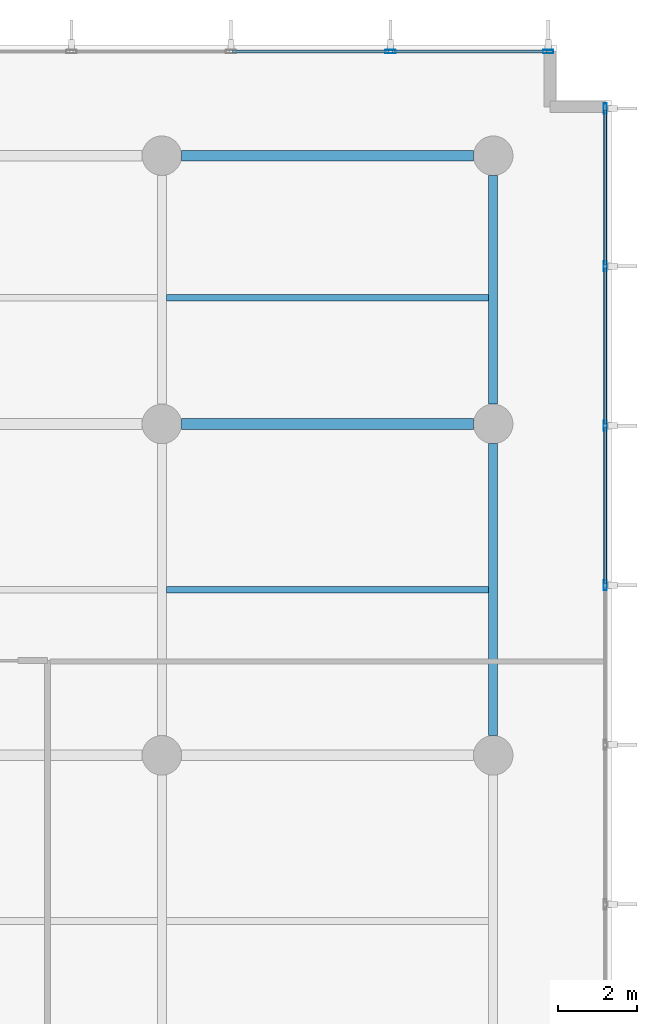
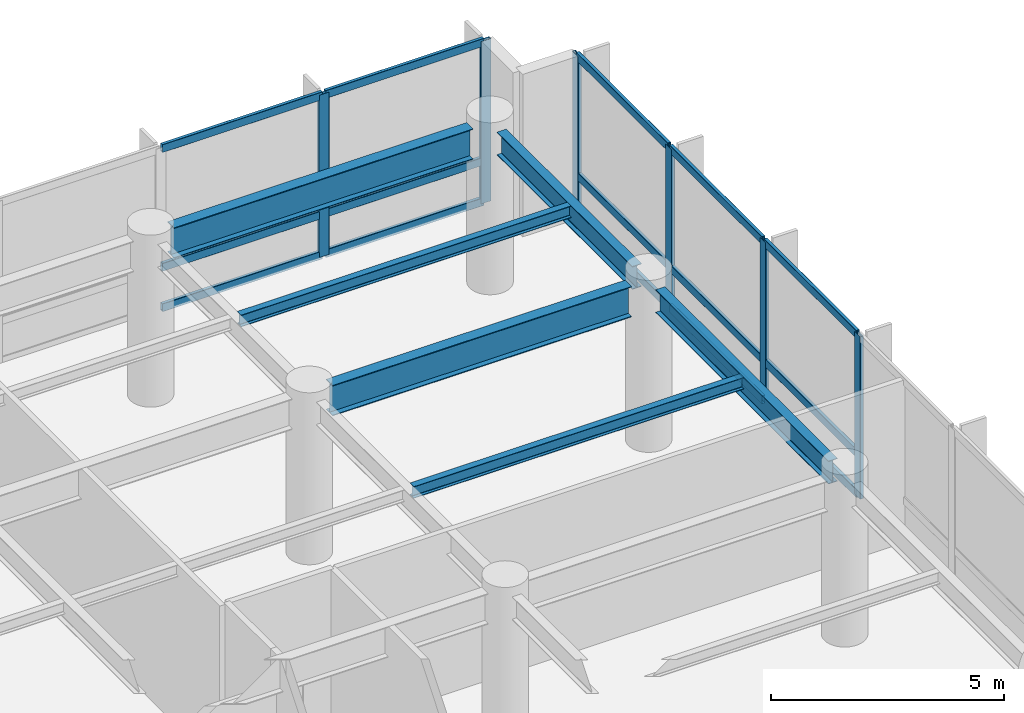
# One storey, part 12 of 26: 21 members, 6 beams, 2 elements without a shape of their own.
"""IFC4 building model written with IfcOpenShell, lengths in metres."""

from ifc_helpers import new_model, si_unit, direction, frame, origin, origin_2d, place, context, subcontext, project, spatial, hollow_rectangle, i_section, extrude, material, layer, layer_set, material_profile, profile_set, type_object, element, aggregate, save


model = new_model("IFC4")

# Units and contexts
model_context = context("Model", 3, precision=1e-05, world=origin(), true_north=direction((0.0, 1.0)))
body_context = subcontext(model_context, "Body", "Model", "MODEL_VIEW")
ifc_project = project(units=[si_unit("LENGTHUNIT", "METRE"), si_unit("AREAUNIT", "SQUARE_METRE"), si_unit("VOLUMEUNIT", "CUBIC_METRE"), si_unit("PLANEANGLEUNIT", "RADIAN"), si_unit("MASSUNIT", "GRAM", prefix="KILO")], contexts=[model_context])

# Site, building, storey
site_placement = place(None, origin())
site = spatial("IfcSite", under=ifc_project, at=site_placement, CompositionType="ELEMENT")
building_placement = place(site_placement, origin())
building = spatial("IfcBuilding", under=site, at=building_placement, Name="Varnakote Quay Hospital", CompositionType="ELEMENT")
storey_placement = place(building_placement, frame((0.0, 0.0, 4.5)))
storey = spatial("IfcBuildingStorey", under=building, at=storey_placement, Name="L01", CompositionType="ELEMENT", Elevation=4.5)

# Beams
ifc_material_1 = material(Name="Structural steel AS/NZS 3679.1 Grade 350 L0 (fy 340 MPa)", Category="steel")
ifc_material_profile_1 = material_profile(ifc_material_1, i_section(OverallWidth=0.22802734375, OverallDepth=0.60205078125, WebThickness=0.010498046875, FlangeThickness=0.014892578125, FilletRadius=0.013916015625, at=origin_2d()), Name="610UB101")
ifc_profile_set_1 = profile_set([ifc_material_profile_1], Name="Structural steel AS/NZS 3679.1 Grade 350 L0 (fy 340 MPa)")
beam_type_1 = type_object("IfcBeamType", Name="BM-STL-610UB101", PredefinedType="BEAM", material=ifc_profile_set_1)
beam_1_placement = place(storey_placement, frame((84.0, 29.300048828125, 3.948974609375), z_axis=(0.0, 1.0, 0.0), x_axis=(-1.0, 0.0, 0.0)))
element("IfcBeam", 1, at=beam_1_placement, inside=storey, type_object=beam_type_1, Name="L01 Primary Tie Beam", PredefinedType="BEAM", context=body_context, shape_type="SweptSolid", body=[
    extrude(i_section(OverallWidth=0.22802734375, OverallDepth=0.60205078125, WebThickness=0.010498046875, FlangeThickness=0.014892578125, FilletRadius=0.013916015625, at=origin_2d()), origin(), (0.0, 0.0, 1.0), 7.39990234375),
])
beam_2_placement = place(storey_placement, frame((84.0, 37.699951171875, 3.948974609375), z_axis=(0.0, 1.0, 0.0), x_axis=(-1.0, 0.0, 0.0)))
element("IfcBeam", 2, at=beam_2_placement, inside=storey, type_object=beam_type_1, Name="L01 Primary Tie Beam", PredefinedType="BEAM", context=body_context, shape_type="SweptSolid", body=[
    extrude(i_section(OverallWidth=0.22802734375, OverallDepth=0.60205078125, WebThickness=0.010498046875, FlangeThickness=0.014892578125, FilletRadius=0.013916015625, at=origin_2d()), origin(), (0.0, 0.0, 1.0), 5.800048828125),
])
ifc_material_2 = material(Name="Structural steel AS/NZS 3678 Grade 350 (fy 340 MPa)", Category="steel")
ifc_material_profile_2 = material_profile(ifc_material_2, i_section(OverallWidth=0.27490234375, OverallDepth=0.800048828125, WebThickness=0.010009765625, FlangeThickness=0.02001953125, at=origin_2d()), Name="800WB146")
ifc_profile_set_2 = profile_set([ifc_material_profile_2], Name="Structural steel AS/NZS 3678 Grade 350 (fy 340 MPa)")
beam_type_2 = type_object("IfcBeamType", Name="BM-STL-800WB146", PredefinedType="BEAM", material=ifc_profile_set_2)
for number, where, z_axis, x_axis, name in (
    (3, (76.10009765625, 37.199951171875, 3.85009765625), (1.0, 0.0, 0.0), (0.0, 1.0, 0.0), "L01 Primary Floor Beam"),
    (4, (76.10009765625, 44.0, 3.85009765625), (1.0, 0.0, 0.0), (0.0, 1.0, 0.0), "L01 Primary Floor Beam"),
):
    element("IfcBeam", number, at=place(storey_placement, frame(where, z_axis=z_axis, x_axis=x_axis)), inside=storey, type_object=beam_type_2, Name=name, PredefinedType="BEAM", context=body_context, shape_type="SweptSolid", body=[
        extrude(i_section(OverallWidth=0.27490234375, OverallDepth=0.800048828125, WebThickness=0.010009765625, FlangeThickness=0.02001953125, at=origin_2d()), origin(), (0.0, 0.0, 1.0), 7.39990234375),
    ])

# Curtain wall, members
ifc_material_3 = material(Name="Anodised aluminium 6063-T6 Bronze", Category="aluminium")
ifc_layer = layer(ifc_material_3, 0.175048828125)
ifc_layer_set = layer_set([ifc_layer], Name="Anodised aluminium 6063-T6 Bronze")
curtain_wall_type = type_object("IfcCurtainWallType", Name="CW-SYS-1", PredefinedType="NOTDEFINED", material=ifc_layer_set)
curtain_wall_1_placement = place(storey_placement, origin())
curtain_wall_1 = element("IfcCurtainWall", 5, at=curtain_wall_1_placement, inside=storey, type_object=curtain_wall_type, Name="L01 Unitised Bronze Curtain Wall 1", PredefinedType="NOTDEFINED")
ifc_material_4 = material(Name="Anodised aluminium 6063-T6 Bronze", Category="aluminium")
ifc_material_profile_3 = material_profile(ifc_material_4, hollow_rectangle(XDim=0.0849609375, YDim=0.260009765625, WallThickness=0.0048828125, InnerFilletRadius=0.0048828125, OuterFilletRadius=0.010009765625, at=origin_2d()), Name="CW-MULL-260x85")
ifc_profile_set_3 = profile_set([ifc_material_profile_3], Name="Anodised aluminium 6063-T6 Bronze")
member_type_1 = type_object("IfcMemberType", Name="CW-MULL-260x85", PredefinedType="MULLION", material=ifc_profile_set_3)
member_1_placement = place(storey_placement, frame((86.840087890625, 33.109130859375, 0.0), z_axis=(0.0, 0.0, 1.0), x_axis=(-1.0, 0.0, 0.0)))
member_1 = element("IfcMember", 6, at=member_1_placement, type_object=member_type_1, Name="-1-L01-1 mullion 9", PredefinedType="MULLION", context=body_context, shape_type="SweptSolid", body=[
    extrude(hollow_rectangle(XDim=0.0849609375, YDim=0.260009765625, WallThickness=0.0048828125, InnerFilletRadius=0.0048828125, OuterFilletRadius=0.010009765625, at=origin_2d()), origin(), (0.0, 0.0, 1.0), 4.25),
])
member_2_placement = place(storey_placement, frame((86.840087890625, 37.15283203125, 0.0), z_axis=(0.0, 0.0, 1.0), x_axis=(-1.0, 0.0, 0.0)))
member_2 = element("IfcMember", 7, at=member_2_placement, type_object=member_type_1, Name="-1-L01-1 mullion 10", PredefinedType="MULLION", context=body_context, shape_type="SweptSolid", body=[
    extrude(hollow_rectangle(XDim=0.0849609375, YDim=0.260009765625, WallThickness=0.0048828125, InnerFilletRadius=0.0048828125, OuterFilletRadius=0.010009765625, at=origin_2d()), origin(), (0.0, 0.0, 1.0), 4.25),
])
member_3_placement = place(storey_placement, frame((86.840087890625, 41.1962890625, 0.0), z_axis=(0.0, 0.0, 1.0), x_axis=(-1.0, 0.0, 0.0)))
member_3 = element("IfcMember", 8, at=member_3_placement, type_object=member_type_1, Name="-1-L01-1 mullion 11", PredefinedType="MULLION", context=body_context, shape_type="SweptSolid", body=[
    extrude(hollow_rectangle(XDim=0.0849609375, YDim=0.260009765625, WallThickness=0.0048828125, InnerFilletRadius=0.0048828125, OuterFilletRadius=0.010009765625, at=origin_2d()), origin(), (0.0, 0.0, 1.0), 4.25),
])
member_4_placement = place(storey_placement, frame((86.840087890625, 45.197509765625, 0.0), z_axis=(0.0, 0.0, 1.0), x_axis=(-1.0, 0.0, 0.0)))
member_4 = element("IfcMember", 9, at=member_4_placement, type_object=member_type_1, Name="-1-L01-1 mullion 12", PredefinedType="MULLION", context=body_context, shape_type="SweptSolid", body=[
    extrude(hollow_rectangle(XDim=0.0849609375, YDim=0.260009765625, WallThickness=0.0048828125, InnerFilletRadius=0.0048828125, OuterFilletRadius=0.010009765625, at=origin_2d()), origin(), (0.0, 0.0, 1.0), 4.25),
])

curtain_wall_2_placement = place(storey_placement, origin())
curtain_wall_2 = element("IfcCurtainWall", 10, at=curtain_wall_2_placement, inside=storey, type_object=curtain_wall_type, Name="L01 Unitised Bronze Curtain Wall 2", PredefinedType="NOTDEFINED")
member_5_placement = place(storey_placement, frame((85.3974609375, 46.639892578125, 0.0), z_axis=(0.0, 0.0, 1.0), x_axis=(0.0, -1.0, 0.0)))
member_5 = element("IfcMember", 11, at=member_5_placement, type_object=member_type_1, Name="-1-L01-2 mullion 1", PredefinedType="MULLION", context=body_context, shape_type="SweptSolid", body=[
    extrude(hollow_rectangle(XDim=0.0849609375, YDim=0.260009765625, WallThickness=0.0048828125, InnerFilletRadius=0.0048828125, OuterFilletRadius=0.010009765625, at=origin_2d()), origin(), (0.0, 0.0, 1.0), 4.25),
])
member_6_placement = place(storey_placement, frame((81.396484375, 46.639892578125, 0.0), z_axis=(0.0, 0.0, 1.0), x_axis=(0.0, -1.0, 0.0)))
member_6 = element("IfcMember", 12, at=member_6_placement, type_object=member_type_1, Name="-1-L01-2 mullion 2", PredefinedType="MULLION", context=body_context, shape_type="SweptSolid", body=[
    extrude(hollow_rectangle(XDim=0.0849609375, YDim=0.260009765625, WallThickness=0.0048828125, InnerFilletRadius=0.0048828125, OuterFilletRadius=0.010009765625, at=origin_2d()), origin(), (0.0, 0.0, 1.0), 4.25),
])

# Member
ifc_material_5 = material(Name="Anodised aluminium 6063-T6 Bronze", Category="aluminium")
ifc_material_profile_4 = material_profile(ifc_material_5, hollow_rectangle(XDim=0.0849609375, YDim=0.2099609375, WallThickness=0.00439453125, InnerFilletRadius=0.00439453125, OuterFilletRadius=0.009033203125, at=origin_2d()), Name="CW-TRAN-210x85")
ifc_profile_set_4 = profile_set([ifc_material_profile_4], Name="Anodised aluminium 6063-T6 Bronze")
member_type_2 = type_object("IfcMemberType", Name="CW-TRAN-210x85", PredefinedType="USERDEFINED", material=ifc_profile_set_4)
member_7_placement = place(storey_placement, frame((86.840087890625, 33.151611328125, 0.04248046875), z_axis=(0.0, 1.0, 0.0), x_axis=(-1.0, 0.0, 0.0)))
member_7 = element("IfcMember", 13, at=member_7_placement, type_object=member_type_2, Name="-1-L01-1 transom 9.1", ObjectType="TRANSOM", PredefinedType="USERDEFINED", context=body_context, shape_type="SweptSolid", body=[
    extrude(hollow_rectangle(XDim=0.0849609375, YDim=0.2099609375, WallThickness=0.00439453125, InnerFilletRadius=0.00439453125, OuterFilletRadius=0.009033203125, at=origin_2d()), origin(), (0.0, 0.0, 1.0), 3.95849609375),
])

member_8_placement = place(storey_placement, frame((86.840087890625, 33.151611328125, 1.10009765625), z_axis=(0.0, 1.0, 0.0), x_axis=(-1.0, 0.0, 0.0)))
member_8 = element("IfcMember", 14, at=member_8_placement, type_object=member_type_2, Name="-1-L01-1 transom 9.2", ObjectType="TRANSOM", PredefinedType="USERDEFINED", context=body_context, shape_type="SweptSolid", body=[
    extrude(hollow_rectangle(XDim=0.0849609375, YDim=0.2099609375, WallThickness=0.00439453125, InnerFilletRadius=0.00439453125, OuterFilletRadius=0.009033203125, at=origin_2d()), origin(), (0.0, 0.0, 1.0), 3.95849609375),
])

member_9_placement = place(storey_placement, frame((86.840087890625, 33.151611328125, 4.20751953125), z_axis=(0.0, 1.0, 0.0), x_axis=(-1.0, 0.0, 0.0)))
member_9 = element("IfcMember", 15, at=member_9_placement, type_object=member_type_2, Name="-1-L01-1 transom 9.3", ObjectType="TRANSOM", PredefinedType="USERDEFINED", context=body_context, shape_type="SweptSolid", body=[
    extrude(hollow_rectangle(XDim=0.0849609375, YDim=0.2099609375, WallThickness=0.00439453125, InnerFilletRadius=0.00439453125, OuterFilletRadius=0.009033203125, at=origin_2d()), origin(), (0.0, 0.0, 1.0), 3.95849609375),
])

member_10_placement = place(storey_placement, frame((86.840087890625, 37.1953125, 0.04248046875), z_axis=(0.0, 1.0, 0.0), x_axis=(-1.0, 0.0, 0.0)))
member_10 = element("IfcMember", 16, at=member_10_placement, type_object=member_type_2, Name="-1-L01-1 transom 10.1", ObjectType="TRANSOM", PredefinedType="USERDEFINED", context=body_context, shape_type="SweptSolid", body=[
    extrude(hollow_rectangle(XDim=0.0849609375, YDim=0.2099609375, WallThickness=0.00439453125, InnerFilletRadius=0.00439453125, OuterFilletRadius=0.009033203125, at=origin_2d()), origin(), (0.0, 0.0, 1.0), 3.95849609375),
])

member_11_placement = place(storey_placement, frame((86.840087890625, 37.1953125, 1.10009765625), z_axis=(0.0, 1.0, 0.0), x_axis=(-1.0, 0.0, 0.0)))
member_11 = element("IfcMember", 17, at=member_11_placement, type_object=member_type_2, Name="-1-L01-1 transom 10.2", ObjectType="TRANSOM", PredefinedType="USERDEFINED", context=body_context, shape_type="SweptSolid", body=[
    extrude(hollow_rectangle(XDim=0.0849609375, YDim=0.2099609375, WallThickness=0.00439453125, InnerFilletRadius=0.00439453125, OuterFilletRadius=0.009033203125, at=origin_2d()), origin(), (0.0, 0.0, 1.0), 3.95849609375),
])

member_12_placement = place(storey_placement, frame((86.840087890625, 37.1953125, 4.20751953125), z_axis=(0.0, 1.0, 0.0), x_axis=(-1.0, 0.0, 0.0)))
member_12 = element("IfcMember", 18, at=member_12_placement, type_object=member_type_2, Name="-1-L01-1 transom 10.3", ObjectType="TRANSOM", PredefinedType="USERDEFINED", context=body_context, shape_type="SweptSolid", body=[
    extrude(hollow_rectangle(XDim=0.0849609375, YDim=0.2099609375, WallThickness=0.00439453125, InnerFilletRadius=0.00439453125, OuterFilletRadius=0.009033203125, at=origin_2d()), origin(), (0.0, 0.0, 1.0), 3.95849609375),
])

member_13_placement = place(storey_placement, frame((86.840087890625, 41.23876953125, 0.04248046875), z_axis=(0.0, 1.0, 0.0), x_axis=(-1.0, 0.0, 0.0)))
member_13 = element("IfcMember", 19, at=member_13_placement, type_object=member_type_2, Name="-1-L01-1 transom 11.1", ObjectType="TRANSOM", PredefinedType="USERDEFINED", context=body_context, shape_type="SweptSolid", body=[
    extrude(hollow_rectangle(XDim=0.0849609375, YDim=0.2099609375, WallThickness=0.00439453125, InnerFilletRadius=0.00439453125, OuterFilletRadius=0.009033203125, at=origin_2d()), origin(), (0.0, 0.0, 1.0), 3.916259765625),
])

member_14_placement = place(storey_placement, frame((86.840087890625, 41.23876953125, 1.10009765625), z_axis=(0.0, 1.0, 0.0), x_axis=(-1.0, 0.0, 0.0)))
member_14 = element("IfcMember", 20, at=member_14_placement, type_object=member_type_2, Name="-1-L01-1 transom 11.2", ObjectType="TRANSOM", PredefinedType="USERDEFINED", context=body_context, shape_type="SweptSolid", body=[
    extrude(hollow_rectangle(XDim=0.0849609375, YDim=0.2099609375, WallThickness=0.00439453125, InnerFilletRadius=0.00439453125, OuterFilletRadius=0.009033203125, at=origin_2d()), origin(), (0.0, 0.0, 1.0), 3.916259765625),
])

member_15_placement = place(storey_placement, frame((86.840087890625, 41.23876953125, 4.20751953125), z_axis=(0.0, 1.0, 0.0), x_axis=(-1.0, 0.0, 0.0)))
member_15 = element("IfcMember", 21, at=member_15_placement, type_object=member_type_2, Name="-1-L01-1 transom 11.3", ObjectType="TRANSOM", PredefinedType="USERDEFINED", context=body_context, shape_type="SweptSolid", body=[
    extrude(hollow_rectangle(XDim=0.0849609375, YDim=0.2099609375, WallThickness=0.00439453125, InnerFilletRadius=0.00439453125, OuterFilletRadius=0.009033203125, at=origin_2d()), origin(), (0.0, 0.0, 1.0), 3.916259765625),
])

aggregate(curtain_wall_1, [member_1, member_2, member_3, member_4, member_7, member_8, member_9, member_10, member_11, member_12, member_13, member_14, member_15])

member_16_placement = place(storey_placement, frame((85.35498046875, 46.639892578125, 0.04248046875), z_axis=(-1.0, 0.0, 0.0), x_axis=(0.0, -1.0, 0.0)))
member_16 = element("IfcMember", 22, at=member_16_placement, type_object=member_type_2, Name="-1-L01-2 transom 1.1", ObjectType="TRANSOM", PredefinedType="USERDEFINED", context=body_context, shape_type="SweptSolid", body=[
    extrude(hollow_rectangle(XDim=0.0849609375, YDim=0.2099609375, WallThickness=0.00439453125, InnerFilletRadius=0.00439453125, OuterFilletRadius=0.009033203125, at=origin_2d()), origin(), (0.0, 0.0, 1.0), 3.916015625),
])

member_17_placement = place(storey_placement, frame((85.35498046875, 46.639892578125, 1.10009765625), z_axis=(-1.0, 0.0, 0.0), x_axis=(0.0, -1.0, 0.0)))
member_17 = element("IfcMember", 23, at=member_17_placement, type_object=member_type_2, Name="-1-L01-2 transom 1.2", ObjectType="TRANSOM", PredefinedType="USERDEFINED", context=body_context, shape_type="SweptSolid", body=[
    extrude(hollow_rectangle(XDim=0.0849609375, YDim=0.2099609375, WallThickness=0.00439453125, InnerFilletRadius=0.00439453125, OuterFilletRadius=0.009033203125, at=origin_2d()), origin(), (0.0, 0.0, 1.0), 3.916015625),
])

member_18_placement = place(storey_placement, frame((85.35498046875, 46.639892578125, 4.20751953125), z_axis=(-1.0, 0.0, 0.0), x_axis=(0.0, -1.0, 0.0)))
member_18 = element("IfcMember", 24, at=member_18_placement, type_object=member_type_2, Name="-1-L01-2 transom 1.3", ObjectType="TRANSOM", PredefinedType="USERDEFINED", context=body_context, shape_type="SweptSolid", body=[
    extrude(hollow_rectangle(XDim=0.0849609375, YDim=0.2099609375, WallThickness=0.00439453125, InnerFilletRadius=0.00439453125, OuterFilletRadius=0.009033203125, at=origin_2d()), origin(), (0.0, 0.0, 1.0), 3.916015625),
])

member_19_placement = place(storey_placement, frame((81.35400390625, 46.639892578125, 0.04248046875), z_axis=(-1.0, 0.0, 0.0), x_axis=(0.0, -1.0, 0.0)))
member_19 = element("IfcMember", 25, at=member_19_placement, type_object=member_type_2, Name="-1-L01-2 transom 2.1", ObjectType="TRANSOM", PredefinedType="USERDEFINED", context=body_context, shape_type="SweptSolid", body=[
    extrude(hollow_rectangle(XDim=0.0849609375, YDim=0.2099609375, WallThickness=0.00439453125, InnerFilletRadius=0.00439453125, OuterFilletRadius=0.009033203125, at=origin_2d()), origin(), (0.0, 0.0, 1.0), 3.95849609375),
])

member_20_placement = place(storey_placement, frame((81.35400390625, 46.639892578125, 1.10009765625), z_axis=(-1.0, 0.0, 0.0), x_axis=(0.0, -1.0, 0.0)))
member_20 = element("IfcMember", 26, at=member_20_placement, type_object=member_type_2, Name="-1-L01-2 transom 2.2", ObjectType="TRANSOM", PredefinedType="USERDEFINED", context=body_context, shape_type="SweptSolid", body=[
    extrude(hollow_rectangle(XDim=0.0849609375, YDim=0.2099609375, WallThickness=0.00439453125, InnerFilletRadius=0.00439453125, OuterFilletRadius=0.009033203125, at=origin_2d()), origin(), (0.0, 0.0, 1.0), 3.95849609375),
])

member_21_placement = place(storey_placement, frame((81.35400390625, 46.639892578125, 4.20751953125), z_axis=(-1.0, 0.0, 0.0), x_axis=(0.0, -1.0, 0.0)))
member_21 = element("IfcMember", 27, at=member_21_placement, type_object=member_type_2, Name="-1-L01-2 transom 2.3", ObjectType="TRANSOM", PredefinedType="USERDEFINED", context=body_context, shape_type="SweptSolid", body=[
    extrude(hollow_rectangle(XDim=0.0849609375, YDim=0.2099609375, WallThickness=0.00439453125, InnerFilletRadius=0.00439453125, OuterFilletRadius=0.009033203125, at=origin_2d()), origin(), (0.0, 0.0, 1.0), 3.95849609375),
])

aggregate(curtain_wall_2, [member_5, member_6, member_16, member_17, member_18, member_19, member_20, member_21])

# Beams
ifc_material_6 = material(Name="Structural steel AS/NZS 3679.1 Grade 350 L0 (fy 340 MPa)", Category="steel")
ifc_material_profile_5 = material_profile(ifc_material_6, i_section(OverallWidth=0.166015625, OverallDepth=0.306884765625, WebThickness=0.006591796875, FlangeThickness=0.01171875, FilletRadius=0.011474609375, at=origin_2d()), Name="310UB46.2")
ifc_profile_set_5 = profile_set([ifc_material_profile_5], Name="Structural steel AS/NZS 3679.1 Grade 350 L0 (fy 340 MPa)")
beam_type_3 = type_object("IfcBeamType", Name="JST-STL-310UB46-2", PredefinedType="JOIST", material=ifc_profile_set_5)
for number, where, z_axis, x_axis, name in (
    (28, (75.714111328125, 33.0, 4.096435546875), (1.0, 0.0, 0.0), (0.0, 1.0, 0.0), "L01 Composite Floor Joist"),
    (29, (75.714111328125, 40.39990234375, 4.096435546875), (1.0, 0.0, 0.0), (0.0, 1.0, 0.0), "L01 Composite Floor Joist"),
):
    element("IfcBeam", number, at=place(storey_placement, frame(where, z_axis=z_axis, x_axis=x_axis)), inside=storey, type_object=beam_type_3, Name=name, PredefinedType="JOIST", context=body_context, shape_type="SweptSolid", body=[
        extrude(i_section(OverallWidth=0.166015625, OverallDepth=0.306884765625, WebThickness=0.006591796875, FlangeThickness=0.01171875, FilletRadius=0.011474609375, at=origin_2d()), origin(), (0.0, 0.0, 1.0), 8.171875),
    ])

save(model, "model.ifc")
